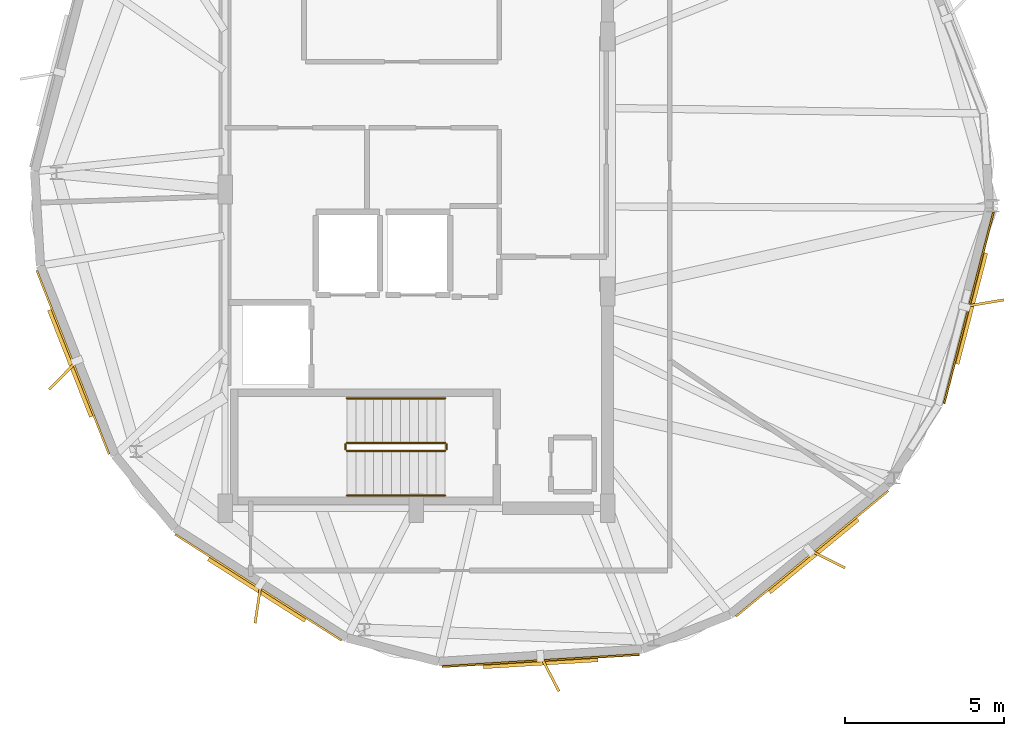
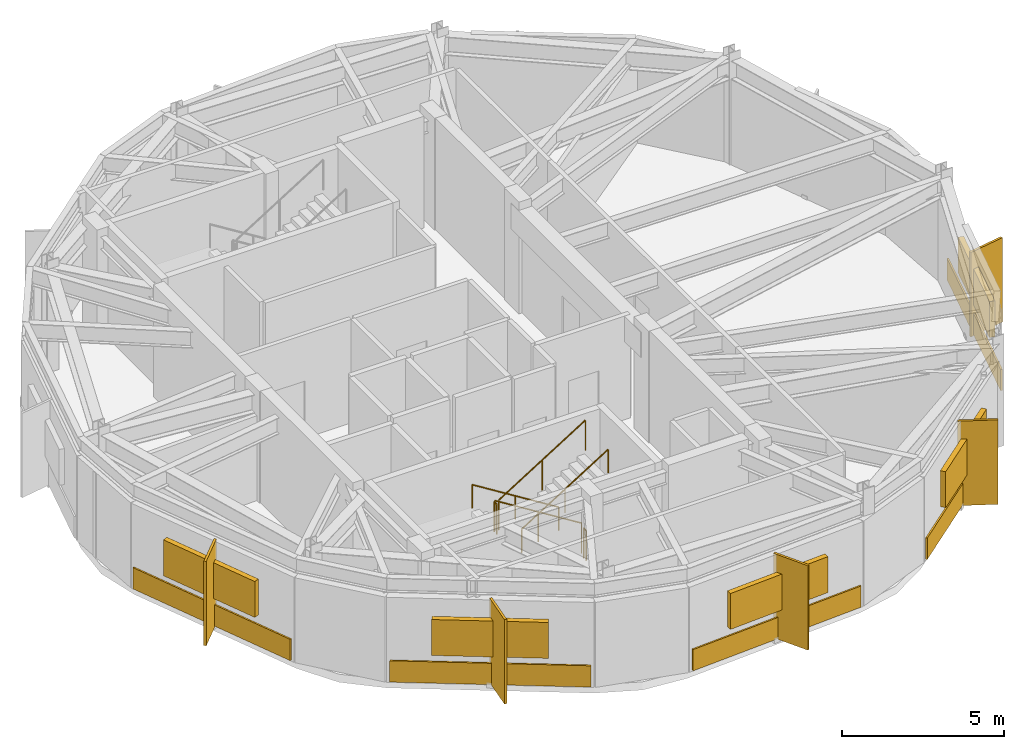
# One storey, part 5 of 6: 10 shading devices, 6 railings, 5 coverings.
"""IFC4 building model written with IfcOpenShell, lengths in metres."""

from ifc_helpers import new_model, si_unit, direction, frame, origin, origin_2d, place, context, subcontext, project, spatial, rectangle, circle, extrude, material, layer, layer_set, type_object, element, save


model = new_model("IFC4")

# Units and contexts
model_context = context("Model", 3, precision=1e-05, world=origin(), true_north=direction((0.0, 1.0)))
body_context = subcontext(model_context, "Body", "Model", "MODEL_VIEW")
ifc_project = project(units=[si_unit("LENGTHUNIT", "METRE"), si_unit("AREAUNIT", "SQUARE_METRE"), si_unit("VOLUMEUNIT", "CUBIC_METRE"), si_unit("PLANEANGLEUNIT", "RADIAN"), si_unit("MASSUNIT", "GRAM", prefix="KILO")], contexts=[model_context])

# Site, building, storey
site_placement = place(None, origin())
site = spatial("IfcSite", under=ifc_project, at=site_placement, CompositionType="ELEMENT")
building_placement = place(site_placement, origin())
building = spatial("IfcBuilding", under=site, at=building_placement, Name="Soratama Intermodal Tower", CompositionType="ELEMENT")
storey_placement = place(building_placement, frame((0.0, 0.0, 314.050048828125)))
storey = spatial("IfcBuildingStorey", under=building, at=storey_placement, Name="L79", CompositionType="ELEMENT", Elevation=314.050048828125)

# Coverings
ifc_material_1 = material(Name="Honed Andean limestone cladding", Category="masonry")
ifc_layer_1 = layer(ifc_material_1, 0.06005859375)
ifc_layer_set_1 = layer_set([ifc_layer_1], Name="Honed Andean limestone cladding")
covering_type = type_object("IfcCoveringType", Name="CV-STONE-CLAD", PredefinedType="CLADDING", material=ifc_layer_set_1)
for number, where, z_axis, x_axis, name in (
    (1, (27.822021484375, 19.578369140625, 0.0498046875), (0.0, 0.0, 1.0), (0.366176427403, -0.930545444358, 0.0), "L79 Stone Cladding F04"),
    (2, (33.64013671875, 12.515380859375, 0.0498046875), (0.0, 0.0, 1.0), (0.84320384149, -0.537593974759, 0.0), "L79 Stone Cladding F05"),
    (3, (42.498779296875, 10.220947265625, 0.0498046875), (0.0, 0.0, 1.0), (0.998156047572, 0.06070012105, 0.0), "L79 Stone Cladding F06"),
    (4, (51.013916015625, 13.57177734375, 0.0498046875), (0.0, 0.0, 1.0), (0.771846569558, 0.63580883374, 0.0), "L79 Stone Cladding F07"),
    (5, (55.933349609375, 21.287841796875, 0.0498046875), (0.0, 0.0, 1.0), (0.250717936073, 0.968060182288, 0.0), "L79 Stone Cladding F08"),
):
    element("IfcCovering", number, at=place(storey_placement, frame(where, z_axis=z_axis, x_axis=x_axis)), inside=storey, type_object=covering_type, Name=name, PredefinedType="CLADDING", context=body_context, shape_type="SweptSolid", body=[
        extrude(rectangle(XDim=6.198486328125, YDim=0.06005859375, at=origin_2d()), origin(), (0.0, 0.0, 1.0), 0.800048828125),
    ])

# Railings
ifc_material_2 = material(Name="Painted steel stair guardrail", Category="steel")
railing_type_1 = type_object("IfcRailingType", Name="RL-STAIR-GUARD", PredefinedType="GUARDRAIL", material=ifc_material_2)
railing_1_placement = place(storey_placement, frame((39.5, 17.050048828125, 0.175048828125)))
element("IfcRailing", 6, at=railing_1_placement, inside=storey, type_object=railing_type_1, Name="L79 ST-1 stair guard 1", PredefinedType="GUARDRAIL", context=body_context, shape_type="SweptSolid", body=[
    extrude(circle(Radius=0.02392578125, at=origin_2d()), frame((0.0, 0.0, 1.1259765625), z_axis=(-0.848028513186, 0.0, 0.529950602248), x_axis=(0.0, -1.0, 0.0)), (0.0, 0.0, 1.0), 3.632080078125),
    extrude(circle(Radius=0.02099609375, at=origin_2d()), origin(), (0.0, 0.0, 1.0), 1.101806640625),
    extrude(circle(Radius=0.02099609375, at=origin_2d()), frame((-1.5400390625, 0.0, 0.96240234375)), (0.0, 0.0, 1.0), 1.101806640625),
    extrude(circle(Radius=0.02099609375, at=origin_2d()), frame((-3.080078125, 0.0, 1.9248046875)), (0.0, 0.0, 1.0), 1.101806640625),
])
railing_2_placement = place(storey_placement, frame((36.3701171875, 17.0, 2.099853515625)))
element("IfcRailing", 7, at=railing_2_placement, inside=storey, type_object=railing_type_1, Name="L79 ST-1 stair guard 2", PredefinedType="GUARDRAIL", context=body_context, shape_type="SweptSolid", body=[
    extrude(circle(Radius=0.02392578125, at=origin_2d()), frame((0.0, 0.0, 1.1259765625), z_axis=(0.0, -1.0, 0.0), x_axis=(1.0, 0.0, 0.0)), (0.0, 0.0, 1.0), 0.14990234375),
    extrude(circle(Radius=0.02099609375, at=origin_2d()), origin(), (0.0, 0.0, 1.0), 1.101806640625),
    extrude(circle(Radius=0.02099609375, at=origin_2d()), frame((0.0, -0.14990234375, 0.0)), (0.0, 0.0, 1.0), 1.101806640625),
])
railing_3_placement = place(storey_placement, frame((36.419921875, 16.800048828125, 2.27490234375)))
element("IfcRailing", 8, at=railing_3_placement, inside=storey, type_object=railing_type_1, Name="L79 ST-1 stair guard 3", PredefinedType="GUARDRAIL", context=body_context, shape_type="SweptSolid", body=[
    extrude(circle(Radius=0.02392578125, at=origin_2d()), frame((0.0, 0.0, 1.1259765625), z_axis=(0.847998304005, 0.0, 0.529998940003), x_axis=(0.0, 1.0, 0.0)), (0.0, 0.0, 1.0), 3.632080078125),
    extrude(circle(Radius=0.02099609375, at=origin_2d()), origin(), (0.0, 0.0, 1.0), 1.101806640625),
    extrude(circle(Radius=0.02099609375, at=origin_2d()), frame((1.5400390625, 0.0, 0.96240234375)), (0.0, 0.0, 1.0), 1.101806640625),
    extrude(circle(Radius=0.02099609375, at=origin_2d()), frame((3.080078125, 0.0, 1.925048828125)), (0.0, 0.0, 1.0), 1.101806640625),
])
railing_4_placement = place(storey_placement, frame((39.550048828125, 17.0, 0.0)))
element("IfcRailing", 9, at=railing_4_placement, inside=storey, type_object=railing_type_1, Name="L79 ST-1 stair guard 4", PredefinedType="GUARDRAIL", context=body_context, shape_type="SweptSolid", body=[
    extrude(circle(Radius=0.02392578125, at=origin_2d()), frame((0.0, 0.0, 1.1259765625), z_axis=(0.0, -1.0, 0.0), x_axis=(1.0, 0.0, 0.0)), (0.0, 0.0, 1.0), 0.14990234375),
    extrude(circle(Radius=0.02099609375, at=origin_2d()), origin(), (0.0, 0.0, 1.0), 1.101806640625),
    extrude(circle(Radius=0.02099609375, at=origin_2d()), frame((0.0, -0.14990234375, 0.0)), (0.0, 0.0, 1.0), 1.101806640625),
])
ifc_material_3 = material(Name="Brushed stainless steel handrail", Category="steel")
railing_type_2 = type_object("IfcRailingType", Name="RL-STAIR-HAND", PredefinedType="HANDRAIL", material=ifc_material_3)
railing_5_placement = place(storey_placement, frame((39.5, 18.449951171875, 0.175048828125)))
element("IfcRailing", 10, at=railing_5_placement, inside=storey, type_object=railing_type_2, Name="L79 ST-1 stair handrail 1", PredefinedType="HANDRAIL", context=body_context, shape_type="SweptSolid", body=[
    extrude(circle(Radius=0.02392578125, at=origin_2d()), frame((0.0, 0.0, 0.8759765625), z_axis=(-0.848028513186, 0.0, 0.529950602248), x_axis=(0.0, -1.0, 0.0)), (0.0, 0.0, 1.0), 3.632080078125),
    extrude(circle(Radius=0.02099609375, at=origin_2d()), origin(), (0.0, 0.0, 1.0), 0.851806640625),
    extrude(circle(Radius=0.02099609375, at=origin_2d()), frame((-1.5400390625, 0.0, 0.96240234375)), (0.0, 0.0, 1.0), 0.851806640625),
    extrude(circle(Radius=0.02099609375, at=origin_2d()), frame((-3.080078125, 0.0, 1.9248046875)), (0.0, 0.0, 1.0), 0.851806640625),
])
railing_6_placement = place(storey_placement, frame((36.419921875, 15.39990234375, 2.27490234375)))
element("IfcRailing", 11, at=railing_6_placement, inside=storey, type_object=railing_type_2, Name="L79 ST-1 stair handrail 2", PredefinedType="HANDRAIL", context=body_context, shape_type="SweptSolid", body=[
    extrude(circle(Radius=0.02392578125, at=origin_2d()), frame((0.0, 0.0, 0.8759765625), z_axis=(0.847998304005, 0.0, 0.529998940003), x_axis=(0.0, 1.0, 0.0)), (0.0, 0.0, 1.0), 3.632080078125),
    extrude(circle(Radius=0.02099609375, at=origin_2d()), origin(), (0.0, 0.0, 1.0), 0.851806640625),
    extrude(circle(Radius=0.02099609375, at=origin_2d()), frame((1.5400390625, 0.0, 0.96240234375)), (0.0, 0.0, 1.0), 0.851806640625),
    extrude(circle(Radius=0.02099609375, at=origin_2d()), frame((3.080078125, 0.0, 1.925048828125)), (0.0, 0.0, 1.0), 0.851806640625),
])

# Shading devices
ifc_material_4 = material(Name="Champagne anodised aluminium solar fin", Category="aluminium")
ifc_layer_2 = layer(ifc_material_4, 0.080078125)
ifc_layer_set_2 = layer_set([ifc_layer_2], Name="Champagne anodised aluminium solar fin")
shading_device_type_1 = type_object("IfcShadingDeviceType", Name="SH-FIN-1250", PredefinedType="USERDEFINED", material=ifc_layer_set_2)
for number, where, z_axis, x_axis, name in (
    (12, (27.518798828125, 19.177001953125, 0.02001953125), (0.0, 0.0, 1.0), (-0.701158192968, -0.713005742217, 0.0), "L79 Solar Fin F04-1"),
    (13, (33.630615234375, 12.01220703125, 0.02001953125), (0.0, 0.0, 1.0), (-0.148154633781, -0.988964207891, 0.0), "L79 Solar Fin F05-1"),
    (14, (42.78662109375, 9.80859375, 0.02001953125), (0.0, 0.0, 1.0), (0.461438959919, -0.887171959808, 0.0), "L79 Solar Fin F06-1"),
    (15, (51.489501953125, 13.4072265625, 0.02001953125), (0.0, 0.0, 1.0), (0.894778554664, -0.446510176944, 0.0), "L79 Solar Fin F07-1"),
    (16, (56.414794921875, 21.43408203125, 0.02001953125), (0.0, 0.0, 1.0), (0.986343153931, 0.16470331719, 0.0), "L79 Solar Fin F08-1"),
):
    element("IfcShadingDevice", number, at=place(storey_placement, frame(where, z_axis=z_axis, x_axis=x_axis)), inside=storey, type_object=shading_device_type_1, Name=name, ObjectType="FIN", PredefinedType="USERDEFINED", context=body_context, shape_type="SweptSolid", body=[
        extrude(rectangle(XDim=1.25, YDim=0.080078125, at=origin_2d()), origin(), (0.0, 0.0, 1.0), 3.175048828125),
    ])
ifc_material_5 = material(Name="Anodised aluminium weather louvre", Category="aluminium")
ifc_layer_3 = layer(ifc_material_5, 0.1201171875)
ifc_layer_set_3 = layer_set([ifc_layer_3], Name="Anodised aluminium weather louvre")
shading_device_type_2 = type_object("IfcShadingDeviceType", Name="SH-LOUVRE-PLANT", PredefinedType="JALOUSIE", material=ifc_layer_set_3)
for number, where, z_axis, x_axis, name in (
    (17, (27.766357421875, 19.556396484375, 1.1748046875), (0.0, 0.0, 1.0), (0.366176427403, -0.930545444358, 0.0), "L79 Acoustic Louvre F04"),
    (18, (33.60791015625, 12.464599609375, 1.1748046875), (0.0, 0.0, 1.0), (0.84320384149, -0.537593974759, 0.0), "L79 Acoustic Louvre F05"),
    (19, (42.50244140625, 10.1611328125, 1.1748046875), (0.0, 0.0, 1.0), (0.998156047572, 0.06070012105, 0.0), "L79 Acoustic Louvre F06"),
    (20, (51.052001953125, 13.525390625, 1.1748046875), (0.0, 0.0, 1.0), (0.771846569558, 0.63580883374, 0.0), "L79 Acoustic Louvre F07"),
    (21, (55.991455078125, 21.272705078125, 1.1748046875), (0.0, 0.0, 1.0), (0.250717936073, 0.968060182288, 0.0), "L79 Acoustic Louvre F08"),
):
    element("IfcShadingDevice", number, at=place(storey_placement, frame(where, z_axis=z_axis, x_axis=x_axis)), inside=storey, type_object=shading_device_type_2, Name=name, PredefinedType="JALOUSIE", context=body_context, shape_type="SweptSolid", body=[
        extrude(rectangle(XDim=3.60009765625, YDim=0.179931640625, at=origin_2d()), origin(), (0.0, 0.0, 1.0), 1.35009765625),
    ])

save(model, "model.ifc")
